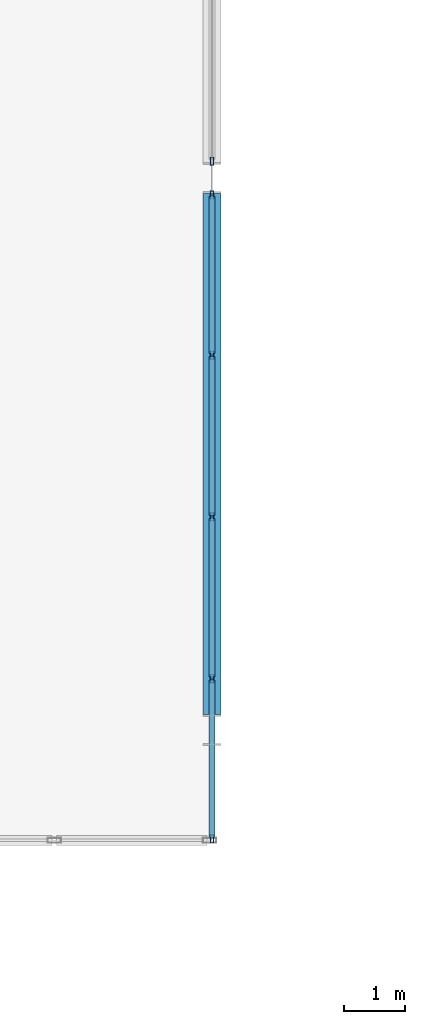
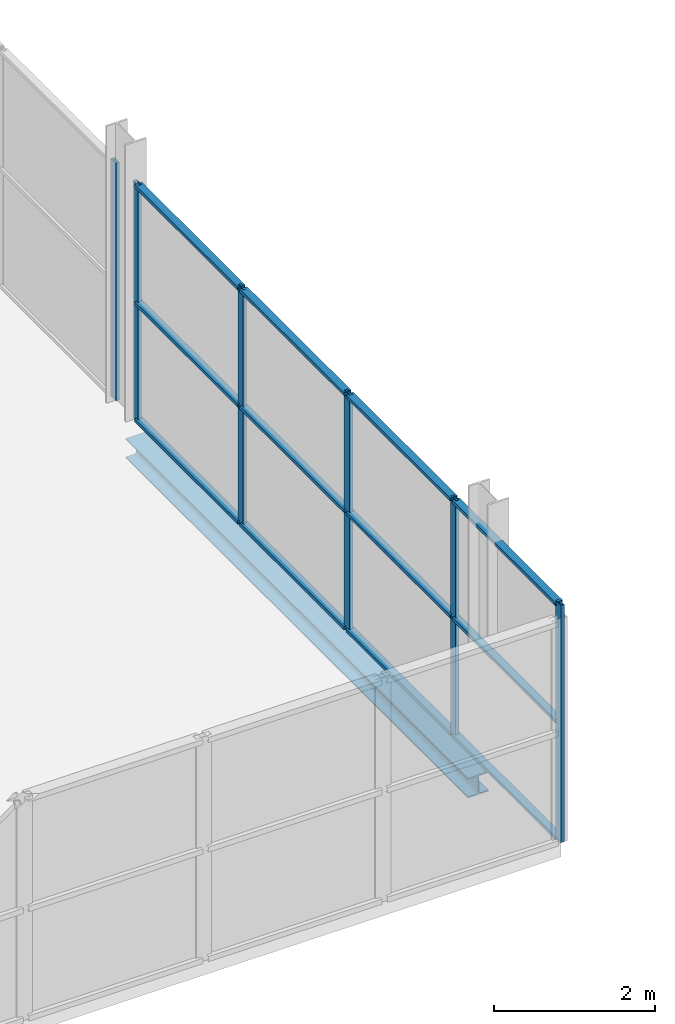
# One storey, part 14 of 59: 18 members, 1 beam, 2 elements without a shape of their own.
"""IFC4 building model written with IfcOpenShell, lengths in metres."""

from ifc_helpers import new_model, si_unit, direction, frame, origin, origin_2d, place, context, subcontext, project, spatial, hollow_rectangle, i_section, extrude, material, layer, layer_set, material_profile, profile_set, type_object, element, aggregate, save


model = new_model("IFC4")

# Units and contexts
model_context = context("Model", 3, precision=1e-05, world=origin(), true_north=direction((0.0, 1.0)))
body_context = subcontext(model_context, "Body", "Model", "MODEL_VIEW")
ifc_project = project(units=[si_unit("LENGTHUNIT", "METRE"), si_unit("AREAUNIT", "SQUARE_METRE"), si_unit("VOLUMEUNIT", "CUBIC_METRE"), si_unit("PLANEANGLEUNIT", "RADIAN"), si_unit("MASSUNIT", "GRAM", prefix="KILO")], contexts=[model_context])

# Site, building, storey
site_placement = place(None, origin())
site = spatial("IfcSite", under=ifc_project, at=site_placement, CompositionType="ELEMENT")
building_placement = place(site_placement, origin())
building = spatial("IfcBuilding", under=site, at=building_placement, Name="Deido Ridge Mobility Hub", CompositionType="ELEMENT")
storey_placement = place(building_placement, frame((0.0, 0.0, 21.0)))
storey = spatial("IfcBuildingStorey", under=building, at=storey_placement, Name="L05", CompositionType="ELEMENT", Elevation=21.0)

# Curtain wall, members
ifc_material_1 = material(Name="Anodised aluminium EN AW-6063 T6", Category="aluminium")
ifc_layer = layer(ifc_material_1, 0.16796875, Name="Anodised aluminium EN AW-6063 T6")
ifc_layer_set = layer_set([ifc_layer], Name="Anodised aluminium EN AW-6063 T6")
curtain_wall_type = type_object("IfcCurtainWallType", Name="CW-GS-4", PredefinedType="USERDEFINED", material=ifc_layer_set)
curtain_wall_1_placement = place(storey_placement, origin())
curtain_wall_1 = element("IfcCurtainWall", 1, at=curtain_wall_1_placement, inside=storey, type_object=curtain_wall_type, Name="Unitised curtain wall GS4", ObjectType="GLAZED SCREEN", PredefinedType="USERDEFINED")
ifc_material_profile_1 = material_profile(ifc_material_1, hollow_rectangle(XDim=0.050048828125, YDim=0.1298828125, WallThickness=0.00390625, at=origin_2d()), Name="RHS 50x130x4")
ifc_profile_set_1 = profile_set([ifc_material_profile_1], Name="Anodised aluminium EN AW-6063 T6")
member_type_1 = type_object("IfcMemberType", Name="MEM-MUL-50X130", PredefinedType="MULLION", material=ifc_profile_set_1)
member_1_placement = place(storey_placement, frame((99.0, 43.22509765625, 0.0), z_axis=(0.0, 0.0, 1.0), x_axis=(-1.0, 0.0, 0.0)))
member_1 = element("IfcMember", 2, at=member_1_placement, type_object=member_type_1, Name="GS4 mullion 1", PredefinedType="MULLION", context=body_context, shape_type="SweptSolid", body=[
    extrude(hollow_rectangle(XDim=0.050048828125, YDim=0.1298828125, WallThickness=0.00390625, at=origin_2d()), origin(), (0.0, 0.0, 1.0), 3.60009765625),
])
member_2_placement = place(storey_placement, frame((99.0, 45.83740234375, 0.0), z_axis=(0.0, 0.0, 1.0), x_axis=(-1.0, 0.0, 0.0)))
member_2 = element("IfcMember", 3, at=member_2_placement, type_object=member_type_1, Name="GS4 mullion 2", PredefinedType="MULLION", context=body_context, shape_type="SweptSolid", body=[
    extrude(hollow_rectangle(XDim=0.050048828125, YDim=0.1298828125, WallThickness=0.00390625, at=origin_2d()), origin(), (0.0, 0.0, 1.0), 3.60009765625),
])
member_3_placement = place(storey_placement, frame((99.0, 48.47509765625, 0.0), z_axis=(0.0, 0.0, 1.0), x_axis=(-1.0, 0.0, 0.0)))
member_3 = element("IfcMember", 4, at=member_3_placement, type_object=member_type_1, Name="GS4 mullion 3", PredefinedType="MULLION", context=body_context, shape_type="SweptSolid", body=[
    extrude(hollow_rectangle(XDim=0.050048828125, YDim=0.1298828125, WallThickness=0.00390625, at=origin_2d()), origin(), (0.0, 0.0, 1.0), 3.60009765625),
])
member_4_placement = place(storey_placement, frame((99.0, 51.112548828125, 0.0), z_axis=(0.0, 0.0, 1.0), x_axis=(-1.0, 0.0, 0.0)))
member_4 = element("IfcMember", 5, at=member_4_placement, type_object=member_type_1, Name="GS4 mullion 4", PredefinedType="MULLION", context=body_context, shape_type="SweptSolid", body=[
    extrude(hollow_rectangle(XDim=0.050048828125, YDim=0.1298828125, WallThickness=0.00390625, at=origin_2d()), origin(), (0.0, 0.0, 1.0), 3.60009765625),
])
member_5_placement = place(storey_placement, frame((99.0, 53.72509765625, 0.0), z_axis=(0.0, 0.0, 1.0), x_axis=(-1.0, 0.0, 0.0)))
member_5 = element("IfcMember", 6, at=member_5_placement, type_object=member_type_1, Name="GS4 mullion 5", PredefinedType="MULLION", context=body_context, shape_type="SweptSolid", body=[
    extrude(hollow_rectangle(XDim=0.050048828125, YDim=0.1298828125, WallThickness=0.00390625, at=origin_2d()), origin(), (0.0, 0.0, 1.0), 3.60009765625),
])

# Curtain wall, member
curtain_wall_2_placement = place(storey_placement, origin())
curtain_wall_2 = element("IfcCurtainWall", 7, at=curtain_wall_2_placement, inside=storey, type_object=curtain_wall_type, Name="Unitised curtain wall GS4", ObjectType="GLAZED SCREEN", PredefinedType="USERDEFINED")
member_6_placement = place(storey_placement, frame((99.0, 54.27490234375, 0.0), z_axis=(0.0, 0.0, 1.0), x_axis=(-1.0, 0.0, 0.0)))
member_6 = element("IfcMember", 8, at=member_6_placement, type_object=member_type_1, Name="GS4 mullion 1", PredefinedType="MULLION", context=body_context, shape_type="SweptSolid", body=[
    extrude(hollow_rectangle(XDim=0.050048828125, YDim=0.1298828125, WallThickness=0.00390625, at=origin_2d()), origin(), (0.0, 0.0, 1.0), 3.60009765625),
])
aggregate(curtain_wall_2, [member_6])

# Member
ifc_material_profile_2 = material_profile(ifc_material_1, hollow_rectangle(XDim=0.10498046875, YDim=0.050048828125, WallThickness=0.00390625, at=origin_2d()), Name="RHS 105x50x4")
ifc_profile_set_2 = profile_set([ifc_material_profile_2], Name="Anodised aluminium EN AW-6063 T6")
member_type_2 = type_object("IfcMemberType", Name="MEM-TRN-105X50", PredefinedType="USERDEFINED", material=ifc_profile_set_2)
member_7_placement = place(storey_placement, frame((99.0, 43.25, 0.02490234375), z_axis=(0.0, 1.0, 0.0), x_axis=(-1.0, 0.0, 0.0)))
member_7 = element("IfcMember", 9, at=member_7_placement, type_object=member_type_2, Name="GS4 transom 1.1", ObjectType="TRANSOM", PredefinedType="USERDEFINED", context=body_context, shape_type="SweptSolid", body=[
    extrude(hollow_rectangle(XDim=0.10498046875, YDim=0.050048828125, WallThickness=0.00390625, at=origin_2d()), origin(), (0.0, 0.0, 1.0), 2.5625),
])

member_8_placement = place(storey_placement, frame((99.0, 43.25, 1.800048828125), z_axis=(0.0, 1.0, 0.0), x_axis=(-1.0, 0.0, 0.0)))
member_8 = element("IfcMember", 10, at=member_8_placement, type_object=member_type_2, Name="GS4 transom 1.2", ObjectType="TRANSOM", PredefinedType="USERDEFINED", context=body_context, shape_type="SweptSolid", body=[
    extrude(hollow_rectangle(XDim=0.10498046875, YDim=0.050048828125, WallThickness=0.00390625, at=origin_2d()), origin(), (0.0, 0.0, 1.0), 2.5625),
])

member_9_placement = place(storey_placement, frame((99.0, 43.25, 3.574951171875), z_axis=(0.0, 1.0, 0.0), x_axis=(-1.0, 0.0, 0.0)))
member_9 = element("IfcMember", 11, at=member_9_placement, type_object=member_type_2, Name="GS4 transom 1.3", ObjectType="TRANSOM", PredefinedType="USERDEFINED", context=body_context, shape_type="SweptSolid", body=[
    extrude(hollow_rectangle(XDim=0.10498046875, YDim=0.050048828125, WallThickness=0.00390625, at=origin_2d()), origin(), (0.0, 0.0, 1.0), 2.5625),
])

member_10_placement = place(storey_placement, frame((99.0, 45.862548828125, 0.02490234375), z_axis=(0.0, 1.0, 0.0), x_axis=(-1.0, 0.0, 0.0)))
member_10 = element("IfcMember", 12, at=member_10_placement, type_object=member_type_2, Name="GS4 transom 2.1", ObjectType="TRANSOM", PredefinedType="USERDEFINED", context=body_context, shape_type="SweptSolid", body=[
    extrude(hollow_rectangle(XDim=0.10498046875, YDim=0.050048828125, WallThickness=0.00390625, at=origin_2d()), origin(), (0.0, 0.0, 1.0), 2.58740234375),
])

member_11_placement = place(storey_placement, frame((99.0, 45.862548828125, 1.800048828125), z_axis=(0.0, 1.0, 0.0), x_axis=(-1.0, 0.0, 0.0)))
member_11 = element("IfcMember", 13, at=member_11_placement, type_object=member_type_2, Name="GS4 transom 2.2", ObjectType="TRANSOM", PredefinedType="USERDEFINED", context=body_context, shape_type="SweptSolid", body=[
    extrude(hollow_rectangle(XDim=0.10498046875, YDim=0.050048828125, WallThickness=0.00390625, at=origin_2d()), origin(), (0.0, 0.0, 1.0), 2.58740234375),
])

member_12_placement = place(storey_placement, frame((99.0, 45.862548828125, 3.574951171875), z_axis=(0.0, 1.0, 0.0), x_axis=(-1.0, 0.0, 0.0)))
member_12 = element("IfcMember", 14, at=member_12_placement, type_object=member_type_2, Name="GS4 transom 2.3", ObjectType="TRANSOM", PredefinedType="USERDEFINED", context=body_context, shape_type="SweptSolid", body=[
    extrude(hollow_rectangle(XDim=0.10498046875, YDim=0.050048828125, WallThickness=0.00390625, at=origin_2d()), origin(), (0.0, 0.0, 1.0), 2.58740234375),
])

member_13_placement = place(storey_placement, frame((99.0, 48.5, 0.02490234375), z_axis=(0.0, 1.0, 0.0), x_axis=(-1.0, 0.0, 0.0)))
member_13 = element("IfcMember", 15, at=member_13_placement, type_object=member_type_2, Name="GS4 transom 3.1", ObjectType="TRANSOM", PredefinedType="USERDEFINED", context=body_context, shape_type="SweptSolid", body=[
    extrude(hollow_rectangle(XDim=0.10498046875, YDim=0.050048828125, WallThickness=0.00390625, at=origin_2d()), origin(), (0.0, 0.0, 1.0), 2.58740234375),
])

member_14_placement = place(storey_placement, frame((99.0, 48.5, 1.800048828125), z_axis=(0.0, 1.0, 0.0), x_axis=(-1.0, 0.0, 0.0)))
member_14 = element("IfcMember", 16, at=member_14_placement, type_object=member_type_2, Name="GS4 transom 3.2", ObjectType="TRANSOM", PredefinedType="USERDEFINED", context=body_context, shape_type="SweptSolid", body=[
    extrude(hollow_rectangle(XDim=0.10498046875, YDim=0.050048828125, WallThickness=0.00390625, at=origin_2d()), origin(), (0.0, 0.0, 1.0), 2.58740234375),
])

member_15_placement = place(storey_placement, frame((99.0, 48.5, 3.574951171875), z_axis=(0.0, 1.0, 0.0), x_axis=(-1.0, 0.0, 0.0)))
member_15 = element("IfcMember", 17, at=member_15_placement, type_object=member_type_2, Name="GS4 transom 3.3", ObjectType="TRANSOM", PredefinedType="USERDEFINED", context=body_context, shape_type="SweptSolid", body=[
    extrude(hollow_rectangle(XDim=0.10498046875, YDim=0.050048828125, WallThickness=0.00390625, at=origin_2d()), origin(), (0.0, 0.0, 1.0), 2.58740234375),
])

member_16_placement = place(storey_placement, frame((99.0, 51.137451171875, 0.02490234375), z_axis=(0.0, 1.0, 0.0), x_axis=(-1.0, 0.0, 0.0)))
member_16 = element("IfcMember", 18, at=member_16_placement, type_object=member_type_2, Name="GS4 transom 4.1", ObjectType="TRANSOM", PredefinedType="USERDEFINED", context=body_context, shape_type="SweptSolid", body=[
    extrude(hollow_rectangle(XDim=0.10498046875, YDim=0.050048828125, WallThickness=0.00390625, at=origin_2d()), origin(), (0.0, 0.0, 1.0), 2.5625),
])

member_17_placement = place(storey_placement, frame((99.0, 51.137451171875, 1.800048828125), z_axis=(0.0, 1.0, 0.0), x_axis=(-1.0, 0.0, 0.0)))
member_17 = element("IfcMember", 19, at=member_17_placement, type_object=member_type_2, Name="GS4 transom 4.2", ObjectType="TRANSOM", PredefinedType="USERDEFINED", context=body_context, shape_type="SweptSolid", body=[
    extrude(hollow_rectangle(XDim=0.10498046875, YDim=0.050048828125, WallThickness=0.00390625, at=origin_2d()), origin(), (0.0, 0.0, 1.0), 2.5625),
])

member_18_placement = place(storey_placement, frame((99.0, 51.137451171875, 3.574951171875), z_axis=(0.0, 1.0, 0.0), x_axis=(-1.0, 0.0, 0.0)))
member_18 = element("IfcMember", 20, at=member_18_placement, type_object=member_type_2, Name="GS4 transom 4.3", ObjectType="TRANSOM", PredefinedType="USERDEFINED", context=body_context, shape_type="SweptSolid", body=[
    extrude(hollow_rectangle(XDim=0.10498046875, YDim=0.050048828125, WallThickness=0.00390625, at=origin_2d()), origin(), (0.0, 0.0, 1.0), 2.5625),
])

aggregate(curtain_wall_1, [member_1, member_2, member_3, member_4, member_5, member_7, member_8, member_9, member_10, member_11, member_12, member_13, member_14, member_15, member_16, member_17, member_18])

# Beam
ifc_material_2 = material(Name="Steel S355J2 EN 10025-2", Category="steel")
ifc_material_profile_3 = material_profile(ifc_material_2, i_section(OverallWidth=0.300048828125, OverallDepth=0.300048828125, WebThickness=0.010986328125, FlangeThickness=0.01904296875, FilletRadius=0.027099609375, at=origin_2d()), Name="HEB 300")
ifc_profile_set_3 = profile_set([ifc_material_profile_3], Name="Steel S355J2 EN 10025-2")
beam_type = type_object("IfcBeamType", Name="SPD-HEB300", PredefinedType="SPANDREL", material=ifc_profile_set_3)
beam_placement = place(storey_placement, frame((99.0, 45.25, -0.39501953125), z_axis=(0.0, 1.0, 0.0), x_axis=(-1.0, 0.0, 0.0)))
element("IfcBeam", 21, at=beam_placement, inside=storey, type_object=beam_type, Name="Floor beam SP1", PredefinedType="SPANDREL", context=body_context, shape_type="SweptSolid", body=[
    extrude(i_section(OverallWidth=0.300048828125, OverallDepth=0.300048828125, WebThickness=0.010986328125, FlangeThickness=0.01904296875, FilletRadius=0.027099609375, at=origin_2d()), origin(), (0.0, 0.0, 1.0), 8.5),
])

save(model, "model.ifc")
